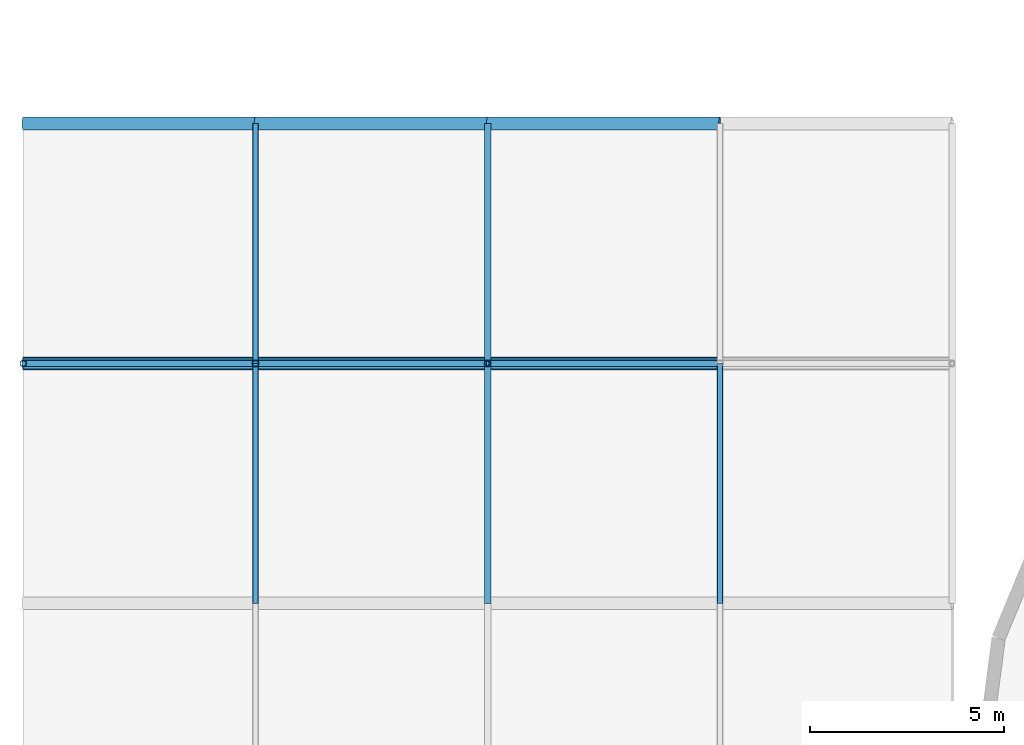
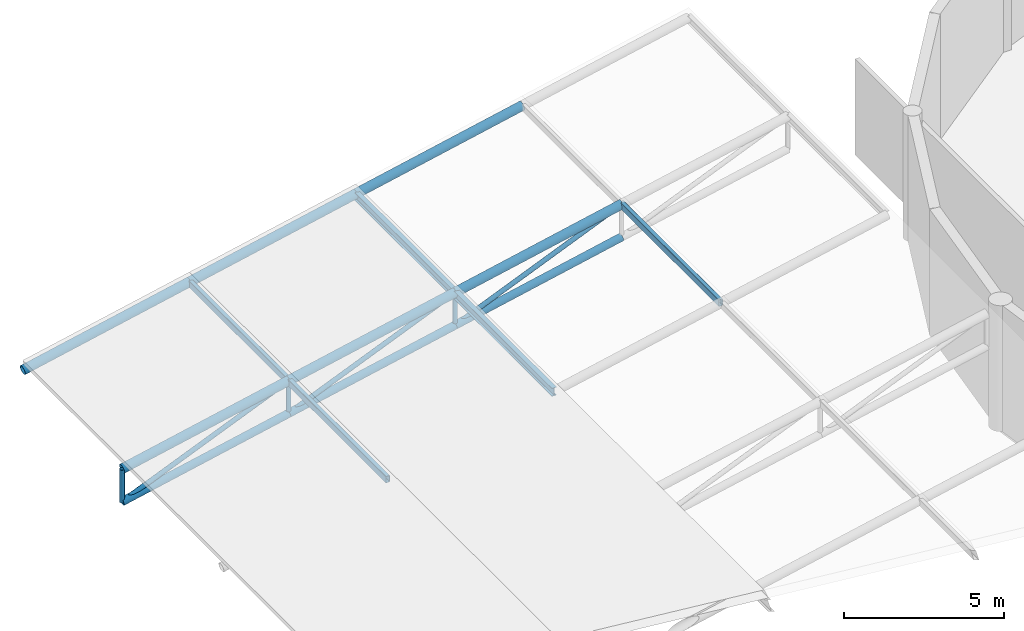
# One storey, part 19 of 48: 20 members.
"""IFC4 building model written with IfcOpenShell, lengths in metres."""

import ifcopenshell
import ifcopenshell.guid

model = None  # the IFC model being written
_history = None  # IfcOwnerHistory: only IFC2X3 demands one
_inside = {}  # id of a spatial element -> (the spatial element, [elements in it])
_under = {}  # id of a project, library or spatial element -> (it, [spatial elements below it])
_declared = {}  # id of a project -> (the project, [libraries it declares])
_typed = {}  # id of a type object -> (the type object, [elements of that type])
_made_of = {}  # id of a material, layer set ... -> (it, [elements and type objects made of it])


def new_model(schema):
    """Start an empty IFC model of exactly this schema.

    Asked for "IFC4X3", IfcOpenShell would pick the latest addendum, in which some entities
    have other attributes; the version numbers below select the first issue.
    IFC2X3 requires an IfcOwnerHistory on every rooted entity: one is made here for all.
    """
    global model, _history
    if schema == "IFC4X3":
        model = ifcopenshell.file(schema_version=(4, 3, 0, 0))
    else:
        model = ifcopenshell.file(schema=schema)
    _inside.clear()
    _under.clear()
    _declared.clear()
    _typed.clear()
    _made_of.clear()
    _history = None
    if model.schema == "IFC2X3":
        org = make("IfcOrganization", Name="unknown")
        user = make(
            "IfcPersonAndOrganization",
            ThePerson=make("IfcPerson", FamilyName="unknown"),
            TheOrganization=org,
        )
        app = make(
            "IfcApplication",
            ApplicationDeveloper=org,
            Version="unknown",
            ApplicationFullName="unknown",
            ApplicationIdentifier="unknown",
        )
        _history = make(
            "IfcOwnerHistory",
            OwningUser=user,
            OwningApplication=app,
            ChangeAction="ADDED",
            CreationDate=0,
        )
    return model


def make(cls, **values):
    """One entity of the class cls with the attributes given. An attribute that is None is left unset."""
    return model.create_entity(
        cls, **{name: value for name, value in values.items() if value is not None}
    )


def rooted(cls, **values):
    """An entity with a GlobalId (a new one), such as an element, a storey or a relation."""
    return make(cls, GlobalId=ifcopenshell.guid.new(), OwnerHistory=_history, **values)


def si_unit(unit_type, name, prefix=None):
    """IfcSIUnit, for example si_unit("LENGTHUNIT", "METRE", prefix="MILLI")."""
    return make("IfcSIUnit", UnitType=unit_type, Prefix=prefix, Name=name)


def assignment(units):
    """IfcUnitAssignment: the units of a project."""
    return None if units is None else make("IfcUnitAssignment", Units=units)


def point(xyz):
    """IfcCartesianPoint."""
    return None if xyz is None else make("IfcCartesianPoint", Coordinates=xyz)


def direction(xyz):
    """IfcDirection."""
    return None if xyz is None else make("IfcDirection", DirectionRatios=xyz)


def frame(location, z_axis=None, x_axis=None):
    """IfcAxis2Placement3D, a coordinate frame: its origin and axes. An axis left out is left unset."""
    return make(
        "IfcAxis2Placement3D",
        Location=point(location),
        Axis=direction(z_axis),
        RefDirection=direction(x_axis),
    )


def frame_2d(location, x_axis=None):
    """IfcAxis2Placement2D, a coordinate frame in the plane: its origin and x axis."""
    return make(
        "IfcAxis2Placement2D", Location=point(location), RefDirection=direction(x_axis)
    )


def origin():
    """The frame at (0, 0, 0) with its axes left unset."""
    return frame((0.0, 0.0, 0.0))


def origin_2d():
    """The frame at (0, 0) in the plane with its x axis left unset."""
    return frame_2d((0.0, 0.0))


def place(relative_to, where):
    """IfcLocalPlacement: puts the frame where relative to a parent placement (None: the world)."""
    return make(
        "IfcLocalPlacement", PlacementRelTo=relative_to, RelativePlacement=where
    )


def context(
    kind, dimensions, precision=None, world=None, true_north=None, identifier=None
):
    """IfcGeometricRepresentationContext, for example the 3D "Model" context."""
    return make(
        "IfcGeometricRepresentationContext",
        ContextIdentifier=identifier,
        ContextType=kind,
        CoordinateSpaceDimension=dimensions,
        Precision=precision,
        WorldCoordinateSystem=world,
        TrueNorth=true_north,
    )


def subcontext(parent, identifier, kind, view, scale=None):
    """IfcGeometricRepresentationSubContext, for example "Body" below "Model"."""
    return make(
        "IfcGeometricRepresentationSubContext",
        ContextIdentifier=identifier,
        ContextType=kind,
        ParentContext=parent,
        TargetScale=scale,
        TargetView=view,
    )


def project(units=None, contexts=None):
    """IfcProject with its units and contexts."""
    return rooted(
        "IfcProject",
        Name="project",
        RepresentationContexts=contexts,
        UnitsInContext=assignment(units),
    )


def spatial(cls, under=None, at=None, **own):
    """A site, building, storey or space (cls), placed at a placement, below another one or the project."""
    s = rooted(cls, ObjectPlacement=at, **own)
    if under is not None:
        _under.setdefault(under.id(), (under, []))[1].append(s)
    return s


def profile(cls, at=None, kind="AREA", **sizes):
    """A parametric profile (cls). Its sizes go by their IFC names, for example OverallWidth=200.0."""
    return make(cls, ProfileType=kind, Position=at, **sizes)


def hollow_rectangle(**sizes):
    """IfcRectangleHollowProfileDef."""
    return profile("IfcRectangleHollowProfileDef", **sizes)


def hollow_circle(**sizes):
    """IfcCircleHollowProfileDef."""
    return profile("IfcCircleHollowProfileDef", **sizes)


def i_section(**sizes):
    """IfcIShapeProfileDef."""
    return profile("IfcIShapeProfileDef", **sizes)


def extrude(swept, where, along, depth):
    """IfcExtrudedAreaSolid: the profile swept, set in the frame where, extruded along a direction by depth."""
    return make(
        "IfcExtrudedAreaSolid",
        SweptArea=swept,
        Position=where,
        ExtrudedDirection=direction(along),
        Depth=depth,
    )


def shape(context_of_items, identifier, shape_type, items):
    """IfcShapeRepresentation: the items that make up one representation, for example the "Body"."""
    return make(
        "IfcShapeRepresentation",
        ContextOfItems=context_of_items,
        RepresentationIdentifier=identifier,
        RepresentationType=shape_type,
        Items=items,
    )


def material(Name=None, Category=None):
    """IfcMaterial."""
    return make("IfcMaterial", Name=Name, Category=Category)


def material_profile(
    of_material, cross_section, Name=None, Category=None, Priority=None
):
    """IfcMaterialProfile: a cross section and its material."""
    return make(
        "IfcMaterialProfile",
        Name=Name,
        Material=of_material,
        Profile=cross_section,
        Priority=Priority,
        Category=Category,
    )


def profile_set(profiles, Name=None, composite=None):
    """IfcMaterialProfileSet."""
    return make(
        "IfcMaterialProfileSet",
        Name=Name,
        MaterialProfiles=profiles,
        CompositeProfile=composite,
    )


def made_of(thing, what):
    """Note that an element or type object is made of a material, layer set ...; save() writes the relation."""
    if what is not None:
        _made_of.setdefault(what.id(), (what, []))[1].append(thing)
    return thing


def type_object(cls, material=None, **own):
    """A type object (cls), such as IfcWallType, which elements share."""
    return made_of(rooted(cls, **own), material)


def element(
    cls,
    number,
    at=None,
    inside=None,
    cuts=None,
    type_object=None,
    material=None,
    context=None,
    identifier="Body",
    shape_type=None,
    held_by="IfcProductDefinitionShape",
    body=None,
    shapes=None,
    **own,
):
    """One element of the class cls, such as IfcWall. Its Tag is "e" and its number.

    at: its placement. inside: the storey or other place that contains it. cuts: it is an
    opening in that element (IfcRelVoidsElement). A single representation is given by context,
    identifier, shape_type and body (its items); several are given by shapes. held_by: the class
    of the entity that holds the representations. save() writes the other relations.
    """
    e = rooted(cls, Tag="e%d" % number, ObjectPlacement=at, **own)
    if body is not None:
        shapes = [shape(context, identifier, shape_type, body)]
    if shapes is not None:
        e.Representation = make(held_by, Representations=shapes)
    if inside is not None:
        _inside.setdefault(inside.id(), (inside, []))[1].append(e)
    if cuts is not None:
        rooted(
            "IfcRelVoidsElement", RelatingBuildingElement=cuts, RelatedOpeningElement=e
        )
    if type_object is not None:
        _typed.setdefault(type_object.id(), (type_object, []))[1].append(e)
    return made_of(e, material)


def aggregate(whole, parts):
    """IfcRelAggregates: a whole, such as a stair, and the parts it consists of."""
    return rooted("IfcRelAggregates", RelatingObject=whole, RelatedObjects=parts)


def save(model, path):
    """Write the relations noted so far, then the file.

    IfcRelAggregates (storeys below a building ...), IfcRelContainedInSpatialStructure (elements
    in a storey), IfcRelDefinesByType, IfcRelAssociatesMaterial and IfcRelDeclares: one each for
    every whole, place, type object, material and project.
    """
    for whole, parts in _under.values():
        aggregate(whole, parts)
    for where, things in _inside.values():
        rooted(
            "IfcRelContainedInSpatialStructure",
            RelatedElements=things,
            RelatingStructure=where,
        )
    for kind, things in _typed.values():
        rooted("IfcRelDefinesByType", RelatedObjects=things, RelatingType=kind)
    for what, things in _made_of.values():
        rooted("IfcRelAssociatesMaterial", RelatedObjects=things, RelatingMaterial=what)
    for by, libraries in _declared.values():
        rooted("IfcRelDeclares", RelatingContext=by, RelatedDefinitions=libraries)
    model.write(path)


model = new_model("IFC4")

# Units and contexts
model_context = context("Model", 3, precision=1e-05, world=origin(), true_north=direction((0.0, 1.0)))
body_context = subcontext(model_context, "Body", "Model", "MODEL_VIEW")
ifc_project = project(units=[si_unit("LENGTHUNIT", "METRE"), si_unit("AREAUNIT", "SQUARE_METRE"), si_unit("VOLUMEUNIT", "CUBIC_METRE"), si_unit("PLANEANGLEUNIT", "RADIAN"), si_unit("MASSUNIT", "GRAM", prefix="KILO")], contexts=[model_context])

# Site, building, storey
site_placement = place(None, origin())
site = spatial("IfcSite", under=ifc_project, at=site_placement, CompositionType="ELEMENT")
building_placement = place(site_placement, origin())
building = spatial("IfcBuilding", under=site, at=building_placement, Name="Mirzam Square Science Centre", CompositionType="ELEMENT")
storey_placement = place(building_placement, frame((0.0, 0.0, 20.39990234375)))
storey = spatial("IfcBuildingStorey", under=building, at=storey_placement, Name="L04", CompositionType="ELEMENT", Elevation=20.39990234375)

# Members
ifc_material = material(Name="Steel S355", Category="steel")
ifc_material_profile_1 = material_profile(ifc_material, hollow_circle(Radius=0.084228515625, WallThickness=0.008056640625, at=origin_2d()), Name="168.3x8.0CHS")
ifc_profile_set_1 = profile_set([ifc_material_profile_1], Name="Steel S355")
member_type_1 = type_object("IfcMemberType", Name="BR-CHS168", PredefinedType="BRACE", material=ifc_profile_set_1)
member_1_placement = place(storey_placement, frame((36.0, 74.39990234375, -1.865478515625), z_axis=(0.922529582988, 0.0, 0.385926377063), x_axis=(0.0, 1.0, 0.0)))
element("IfcMember", 1, at=member_1_placement, inside=storey, type_object=member_type_1, Name="Wedge truss web diagonal Y13 bay 7", PredefinedType="BRACE", context=body_context, shape_type="SweptSolid", body=[
    extrude(hollow_circle(Radius=0.084228515625, WallThickness=0.008056640625, at=origin_2d()), origin(), (0.0, 0.0, 1.0), 6.50390625),
])
member_2_placement = place(storey_placement, frame((36.0, 74.39990234375, -1.865478515625), z_axis=(0.0, 0.0, 1.0), x_axis=(1.0, 0.0, 0.0)))
element("IfcMember", 2, at=member_2_placement, inside=storey, type_object=member_type_1, Name="Wedge truss post Y13 bay 7", PredefinedType="BRACE", context=body_context, shape_type="SweptSolid", body=[
    extrude(hollow_circle(Radius=0.084228515625, WallThickness=0.008056640625, at=origin_2d()), origin(), (0.0, 0.0, 1.0), 1.25),
])
member_3_placement = place(storey_placement, frame((42.0, 74.39990234375, -0.60546875), z_axis=(0.922529582988, 0.0, 0.385926377063), x_axis=(0.0, 1.0, 0.0)))
element("IfcMember", 3, at=member_3_placement, inside=storey, type_object=member_type_1, Name="Wedge truss web diagonal Y13 bay 8", PredefinedType="BRACE", context=body_context, shape_type="SweptSolid", body=[
    extrude(hollow_circle(Radius=0.084228515625, WallThickness=0.008056640625, at=origin_2d()), origin(), (0.0, 0.0, 1.0), 6.50390625),
])
member_4_placement = place(storey_placement, frame((42.0, 74.39990234375, -0.60546875), z_axis=(0.0, 0.0, 1.0), x_axis=(1.0, 0.0, 0.0)))
element("IfcMember", 4, at=member_4_placement, inside=storey, type_object=member_type_1, Name="Wedge truss post Y13 bay 8", PredefinedType="BRACE", context=body_context, shape_type="SweptSolid", body=[
    extrude(hollow_circle(Radius=0.084228515625, WallThickness=0.008056640625, at=origin_2d()), origin(), (0.0, 0.0, 1.0), 1.25),
])
member_5_placement = place(storey_placement, frame((48.0, 74.39990234375, 0.654541015625), z_axis=(0.922529582988, 0.0, 0.385926377063), x_axis=(0.0, 1.0, 0.0)))
element("IfcMember", 5, at=member_5_placement, inside=storey, type_object=member_type_1, Name="Wedge truss web diagonal Y13 bay 9", PredefinedType="BRACE", context=body_context, shape_type="SweptSolid", body=[
    extrude(hollow_circle(Radius=0.084228515625, WallThickness=0.008056640625, at=origin_2d()), origin(), (0.0, 0.0, 1.0), 6.50390625),
])
member_6_placement = place(storey_placement, frame((48.0, 74.39990234375, 0.654541015625), z_axis=(0.0, 0.0, 1.0), x_axis=(1.0, 0.0, 0.0)))
element("IfcMember", 6, at=member_6_placement, inside=storey, type_object=member_type_1, Name="Wedge truss post Y13 bay 9", PredefinedType="BRACE", context=body_context, shape_type="SweptSolid", body=[
    extrude(hollow_circle(Radius=0.084228515625, WallThickness=0.008056640625, at=origin_2d()), origin(), (0.0, 0.0, 1.0), 1.25),
])
ifc_material_profile_2 = material_profile(ifc_material, hollow_circle(Radius=0.136474609375, WallThickness=0.010009765625, at=origin_2d()), Name="273.0x10.0CHS")
ifc_profile_set_2 = profile_set([ifc_material_profile_2], Name="Steel S355")
member_type_2 = type_object("IfcMemberType", Name="CH-CHS273", PredefinedType="CHORD", material=ifc_profile_set_2)
for number, where, z_axis, x_axis, name in (
    (7, (36.0, 74.39990234375, -1.865478515625), (0.978653176229, 0.0, 0.205518759868), (0.0, 1.0, 0.0), "Wedge truss bottom chord Y13 bay 7"),
    (8, (42.0, 74.39990234375, -0.60546875), (0.978653176229, 0.0, 0.205518759868), (0.0, 1.0, 0.0), "Wedge truss bottom chord Y13 bay 8"),
    (9, (48.0, 74.39990234375, 0.654541015625), (0.978653176229, 0.0, 0.205518759868), (0.0, 1.0, 0.0), "Wedge truss bottom chord Y13 bay 9"),
):
    element("IfcMember", number, at=place(storey_placement, frame(where, z_axis=z_axis, x_axis=x_axis)), inside=storey, type_object=member_type_2, Name=name, PredefinedType="CHORD", context=body_context, shape_type="SweptSolid", body=[
        extrude(hollow_circle(Radius=0.136474609375, WallThickness=0.010009765625, at=origin_2d()), origin(), (0.0, 0.0, 1.0), 6.130859375),
    ])
ifc_material_profile_3 = material_profile(ifc_material, hollow_circle(Radius=0.161865234375, WallThickness=0.012451171875, at=origin_2d()), Name="323.9x12.5CHS")
ifc_profile_set_3 = profile_set([ifc_material_profile_3], Name="Steel S355")
member_type_3 = type_object("IfcMemberType", Name="CH-CHS324", PredefinedType="CHORD", material=ifc_profile_set_3)
for number, where, z_axis, x_axis, name in (
    (10, (36.0, 74.39990234375, -0.615478515625), (0.978653176229, 0.0, 0.205518759868), (0.0, 1.0, 0.0), "Wedge truss top chord Y13 bay 7"),
    (11, (42.0, 74.39990234375, 0.64453125), (0.978653176229, 0.0, 0.205518759868), (0.0, 1.0, 0.0), "Wedge truss top chord Y13 bay 8"),
    (12, (48.0, 74.39990234375, 1.904541015625), (0.978653176229, 0.0, 0.205518759868), (0.0, 1.0, 0.0), "Wedge truss top chord Y13 bay 9"),
    (13, (36.0, 80.60009765625, -0.615478515625), (0.978653176229, 0.0, 0.205518759868), (0.0, 1.0, 0.0), "Wedge truss top chord Y14 bay 7"),
    (14, (42.0, 80.60009765625, 0.64453125), (0.978653176229, 0.0, 0.205518759868), (0.0, 1.0, 0.0), "Wedge truss top chord Y14 bay 8"),
    (15, (48.0, 80.60009765625, 1.904541015625), (0.978653176229, 0.0, 0.205518759868), (0.0, 1.0, 0.0), "Wedge truss top chord Y14 bay 9"),
):
    element("IfcMember", number, at=place(storey_placement, frame(where, z_axis=z_axis, x_axis=x_axis)), inside=storey, type_object=member_type_3, Name=name, PredefinedType="CHORD", context=body_context, shape_type="SweptSolid", body=[
        extrude(hollow_circle(Radius=0.161865234375, WallThickness=0.012451171875, at=origin_2d()), origin(), (0.0, 0.0, 1.0), 6.130859375),
    ])
ifc_material_profile_4 = material_profile(ifc_material, hollow_rectangle(XDim=0.14990234375, YDim=0.25, WallThickness=0.010009765625, InnerFilletRadius=0.010009765625, OuterFilletRadius=0.02001953125, at=origin_2d()), Name="250x150x10.0RHS")
ifc_profile_set_4 = profile_set([ifc_material_profile_4], Name="Steel S355")
member_type_4 = type_object("IfcMemberType", Name="RF-RHS250", PredefinedType="RAFTER", material=ifc_profile_set_4)
for number, where, z_axis, x_axis, name in (
    (16, (42.0, 68.199951171875, 0.6474609375), (0.0, 1.0, 0.0), (-1.0, 0.0, 0.0), "Wedge roof rafter X8-12"),
    (17, (54.0, 68.199951171875, 3.16748046875), (0.0, 1.0, 0.0), (-1.0, 0.0, 0.0), "Wedge roof rafter X10-12"),
):
    element("IfcMember", number, at=place(storey_placement, frame(where, z_axis=z_axis, x_axis=x_axis)), inside=storey, type_object=member_type_4, Name=name, PredefinedType="RAFTER", context=body_context, shape_type="SweptSolid", body=[
        extrude(hollow_rectangle(XDim=0.14990234375, YDim=0.25, WallThickness=0.010009765625, InnerFilletRadius=0.010009765625, OuterFilletRadius=0.02001953125, at=origin_2d()), origin(), (0.0, 0.0, 1.0), 6.199951171875),
    ])
member_7_placement = place(storey_placement, frame((42.0, 74.39990234375, 0.6474609375), z_axis=(0.0, 1.0, 0.0), x_axis=(-1.0, 0.0, 0.0)))
element("IfcMember", 18, at=member_7_placement, inside=storey, type_object=member_type_4, Name="Wedge roof rafter X8-13", PredefinedType="RAFTER", context=body_context, shape_type="SweptSolid", body=[
    extrude(hollow_rectangle(XDim=0.14990234375, YDim=0.25, WallThickness=0.010009765625, InnerFilletRadius=0.010009765625, OuterFilletRadius=0.02001953125, at=origin_2d()), origin(), (0.0, 0.0, 1.0), 6.2001953125),
])
ifc_material_profile_5 = material_profile(ifc_material, i_section(OverallWidth=0.165771484375, OverallDepth=0.306640625, WebThickness=0.006591796875, FlangeThickness=0.01171875, FilletRadius=0.0087890625, at=origin_2d()), Name="305x165x46UB")
ifc_profile_set_5 = profile_set([ifc_material_profile_5], Name="Steel S355")
member_type_5 = type_object("IfcMemberType", Name="RF-UB305", PredefinedType="RAFTER", material=ifc_profile_set_5)
member_8_placement = place(storey_placement, frame((48.0, 68.199951171875, 1.87841796875), z_axis=(0.0, 1.0, 0.0), x_axis=(-1.0, 0.0, 0.0)))
element("IfcMember", 19, at=member_8_placement, inside=storey, type_object=member_type_5, Name="Wedge roof rafter X9-12", PredefinedType="RAFTER", context=body_context, shape_type="SweptSolid", body=[
    extrude(i_section(OverallWidth=0.165771484375, OverallDepth=0.306640625, WebThickness=0.006591796875, FlangeThickness=0.01171875, FilletRadius=0.0087890625, at=origin_2d()), origin(), (0.0, 0.0, 1.0), 6.199951171875),
])
member_9_placement = place(storey_placement, frame((48.0, 74.39990234375, 1.87841796875), z_axis=(0.0, 1.0, 0.0), x_axis=(-1.0, 0.0, 0.0)))
element("IfcMember", 20, at=member_9_placement, inside=storey, type_object=member_type_5, Name="Wedge roof rafter X9-13", PredefinedType="RAFTER", context=body_context, shape_type="SweptSolid", body=[
    extrude(i_section(OverallWidth=0.165771484375, OverallDepth=0.306640625, WebThickness=0.006591796875, FlangeThickness=0.01171875, FilletRadius=0.0087890625, at=origin_2d()), origin(), (0.0, 0.0, 1.0), 6.2001953125),
])

save(model, "model.ifc")
